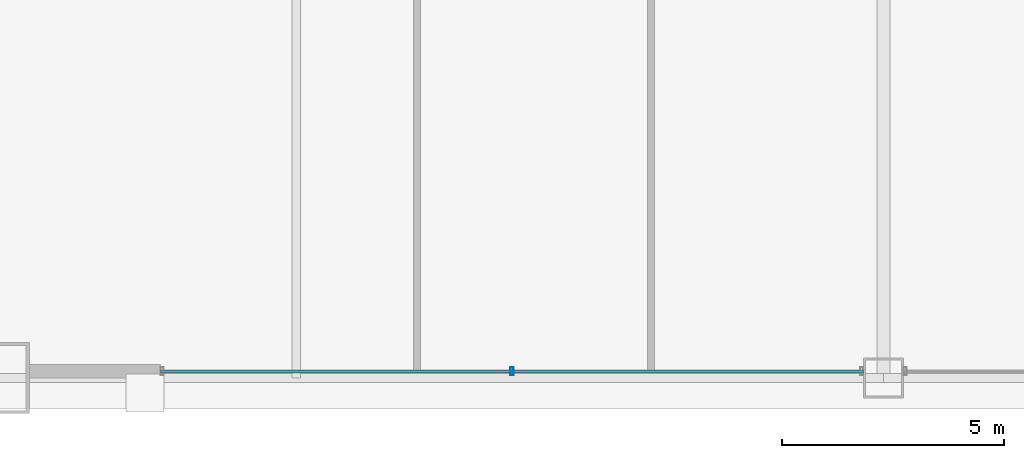
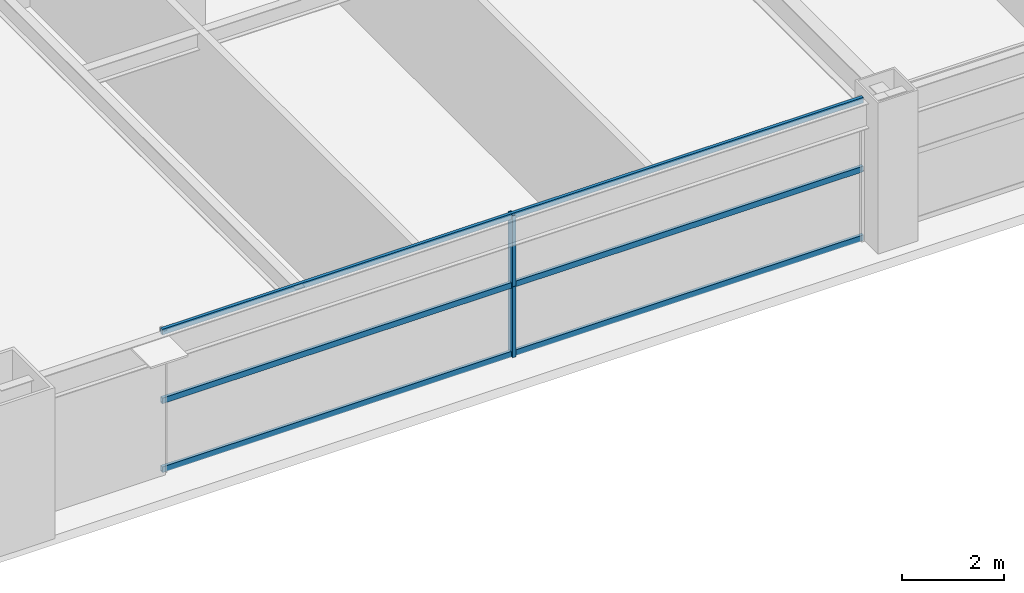
# One storey, part 6 of 39: 5 members, 1 element without a shape of its own.
"""IFC4 building model written with IfcOpenShell, lengths in metres."""

import ifcopenshell
import ifcopenshell.guid

model = None  # the IFC model being written
_history = None  # IfcOwnerHistory: only IFC2X3 demands one
_inside = {}  # id of a spatial element -> (the spatial element, [elements in it])
_under = {}  # id of a project, library or spatial element -> (it, [spatial elements below it])
_declared = {}  # id of a project -> (the project, [libraries it declares])
_typed = {}  # id of a type object -> (the type object, [elements of that type])
_made_of = {}  # id of a material, layer set ... -> (it, [elements and type objects made of it])


def new_model(schema):
    """Start an empty IFC model of exactly this schema.

    Asked for "IFC4X3", IfcOpenShell would pick the latest addendum, in which some entities
    have other attributes; the version numbers below select the first issue.
    IFC2X3 requires an IfcOwnerHistory on every rooted entity: one is made here for all.
    """
    global model, _history
    if schema == "IFC4X3":
        model = ifcopenshell.file(schema_version=(4, 3, 0, 0))
    else:
        model = ifcopenshell.file(schema=schema)
    _inside.clear()
    _under.clear()
    _declared.clear()
    _typed.clear()
    _made_of.clear()
    _history = None
    if model.schema == "IFC2X3":
        org = make("IfcOrganization", Name="unknown")
        user = make(
            "IfcPersonAndOrganization",
            ThePerson=make("IfcPerson", FamilyName="unknown"),
            TheOrganization=org,
        )
        app = make(
            "IfcApplication",
            ApplicationDeveloper=org,
            Version="unknown",
            ApplicationFullName="unknown",
            ApplicationIdentifier="unknown",
        )
        _history = make(
            "IfcOwnerHistory",
            OwningUser=user,
            OwningApplication=app,
            ChangeAction="ADDED",
            CreationDate=0,
        )
    return model


def make(cls, **values):
    """One entity of the class cls with the attributes given. An attribute that is None is left unset."""
    return model.create_entity(
        cls, **{name: value for name, value in values.items() if value is not None}
    )


def rooted(cls, **values):
    """An entity with a GlobalId (a new one), such as an element, a storey or a relation."""
    return make(cls, GlobalId=ifcopenshell.guid.new(), OwnerHistory=_history, **values)


def si_unit(unit_type, name, prefix=None):
    """IfcSIUnit, for example si_unit("LENGTHUNIT", "METRE", prefix="MILLI")."""
    return make("IfcSIUnit", UnitType=unit_type, Prefix=prefix, Name=name)


def assignment(units):
    """IfcUnitAssignment: the units of a project."""
    return None if units is None else make("IfcUnitAssignment", Units=units)


def point(xyz):
    """IfcCartesianPoint."""
    return None if xyz is None else make("IfcCartesianPoint", Coordinates=xyz)


def direction(xyz):
    """IfcDirection."""
    return None if xyz is None else make("IfcDirection", DirectionRatios=xyz)


def frame(location, z_axis=None, x_axis=None):
    """IfcAxis2Placement3D, a coordinate frame: its origin and axes. An axis left out is left unset."""
    return make(
        "IfcAxis2Placement3D",
        Location=point(location),
        Axis=direction(z_axis),
        RefDirection=direction(x_axis),
    )


def frame_2d(location, x_axis=None):
    """IfcAxis2Placement2D, a coordinate frame in the plane: its origin and x axis."""
    return make(
        "IfcAxis2Placement2D", Location=point(location), RefDirection=direction(x_axis)
    )


def origin():
    """The frame at (0, 0, 0) with its axes left unset."""
    return frame((0.0, 0.0, 0.0))


def origin_2d():
    """The frame at (0, 0) in the plane with its x axis left unset."""
    return frame_2d((0.0, 0.0))


def place(relative_to, where):
    """IfcLocalPlacement: puts the frame where relative to a parent placement (None: the world)."""
    return make(
        "IfcLocalPlacement", PlacementRelTo=relative_to, RelativePlacement=where
    )


def context(
    kind, dimensions, precision=None, world=None, true_north=None, identifier=None
):
    """IfcGeometricRepresentationContext, for example the 3D "Model" context."""
    return make(
        "IfcGeometricRepresentationContext",
        ContextIdentifier=identifier,
        ContextType=kind,
        CoordinateSpaceDimension=dimensions,
        Precision=precision,
        WorldCoordinateSystem=world,
        TrueNorth=true_north,
    )


def subcontext(parent, identifier, kind, view, scale=None):
    """IfcGeometricRepresentationSubContext, for example "Body" below "Model"."""
    return make(
        "IfcGeometricRepresentationSubContext",
        ContextIdentifier=identifier,
        ContextType=kind,
        ParentContext=parent,
        TargetScale=scale,
        TargetView=view,
    )


def project(units=None, contexts=None):
    """IfcProject with its units and contexts."""
    return rooted(
        "IfcProject",
        Name="project",
        RepresentationContexts=contexts,
        UnitsInContext=assignment(units),
    )


def spatial(cls, under=None, at=None, **own):
    """A site, building, storey or space (cls), placed at a placement, below another one or the project."""
    s = rooted(cls, ObjectPlacement=at, **own)
    if under is not None:
        _under.setdefault(under.id(), (under, []))[1].append(s)
    return s


def profile(cls, at=None, kind="AREA", **sizes):
    """A parametric profile (cls). Its sizes go by their IFC names, for example OverallWidth=200.0."""
    return make(cls, ProfileType=kind, Position=at, **sizes)


def hollow_rectangle(**sizes):
    """IfcRectangleHollowProfileDef."""
    return profile("IfcRectangleHollowProfileDef", **sizes)


def extrude(swept, where, along, depth):
    """IfcExtrudedAreaSolid: the profile swept, set in the frame where, extruded along a direction by depth."""
    return make(
        "IfcExtrudedAreaSolid",
        SweptArea=swept,
        Position=where,
        ExtrudedDirection=direction(along),
        Depth=depth,
    )


def shape(context_of_items, identifier, shape_type, items):
    """IfcShapeRepresentation: the items that make up one representation, for example the "Body"."""
    return make(
        "IfcShapeRepresentation",
        ContextOfItems=context_of_items,
        RepresentationIdentifier=identifier,
        RepresentationType=shape_type,
        Items=items,
    )


def source(mapping_origin, context_of_items, identifier, shape_type, items):
    """IfcRepresentationMap: a shape defined once, which mapped items show again and again."""
    return make(
        "IfcRepresentationMap",
        MappingOrigin=mapping_origin,
        MappedRepresentation=shape(context_of_items, identifier, shape_type, items),
    )


def transform(
    local_origin,
    x_axis=None,
    y_axis=None,
    z_axis=None,
    scale=None,
    scale2=None,
    scale3=None,
    uniform=True,
):
    """IfcCartesianTransformationOperator3D, or its non-uniform kind. x_axis, y_axis, z_axis: its Axis1, 2, 3."""
    if uniform:
        return make(
            "IfcCartesianTransformationOperator3D",
            Axis1=direction(x_axis),
            Axis2=direction(y_axis),
            LocalOrigin=point(local_origin),
            Scale=scale,
            Axis3=direction(z_axis),
        )
    return make(
        "IfcCartesianTransformationOperator3DnonUniform",
        Axis1=direction(x_axis),
        Axis2=direction(y_axis),
        LocalOrigin=point(local_origin),
        Scale=scale,
        Axis3=direction(z_axis),
        Scale2=scale2,
        Scale3=scale3,
    )


def mapped(mapping_source, mapping_target):
    """IfcMappedItem: shows the shape of a source again, moved by a transform."""
    return make(
        "IfcMappedItem", MappingSource=mapping_source, MappingTarget=mapping_target
    )


def material(Name=None, Category=None):
    """IfcMaterial."""
    return make("IfcMaterial", Name=Name, Category=Category)


def layer(
    of_material, thickness, ventilated=None, Name=None, Category=None, Priority=None
):
    """IfcMaterialLayer: one layer of a wall or slab, of a material (None: an air gap)."""
    return make(
        "IfcMaterialLayer",
        Material=of_material,
        LayerThickness=thickness,
        IsVentilated=ventilated,
        Name=Name,
        Category=Category,
        Priority=Priority,
    )


def layer_set(layers, Name=None):
    """IfcMaterialLayerSet."""
    return make("IfcMaterialLayerSet", MaterialLayers=layers, LayerSetName=Name)


def material_profile(
    of_material, cross_section, Name=None, Category=None, Priority=None
):
    """IfcMaterialProfile: a cross section and its material."""
    return make(
        "IfcMaterialProfile",
        Name=Name,
        Material=of_material,
        Profile=cross_section,
        Priority=Priority,
        Category=Category,
    )


def profile_set(profiles, Name=None, composite=None):
    """IfcMaterialProfileSet."""
    return make(
        "IfcMaterialProfileSet",
        Name=Name,
        MaterialProfiles=profiles,
        CompositeProfile=composite,
    )


def made_of(thing, what):
    """Note that an element or type object is made of a material, layer set ...; save() writes the relation."""
    if what is not None:
        _made_of.setdefault(what.id(), (what, []))[1].append(thing)
    return thing


def type_object(cls, material=None, **own):
    """A type object (cls), such as IfcWallType, which elements share."""
    return made_of(rooted(cls, **own), material)


def element(
    cls,
    number,
    at=None,
    inside=None,
    cuts=None,
    type_object=None,
    material=None,
    context=None,
    identifier="Body",
    shape_type=None,
    held_by="IfcProductDefinitionShape",
    body=None,
    shapes=None,
    **own,
):
    """One element of the class cls, such as IfcWall. Its Tag is "e" and its number.

    at: its placement. inside: the storey or other place that contains it. cuts: it is an
    opening in that element (IfcRelVoidsElement). A single representation is given by context,
    identifier, shape_type and body (its items); several are given by shapes. held_by: the class
    of the entity that holds the representations. save() writes the other relations.
    """
    e = rooted(cls, Tag="e%d" % number, ObjectPlacement=at, **own)
    if body is not None:
        shapes = [shape(context, identifier, shape_type, body)]
    if shapes is not None:
        e.Representation = make(held_by, Representations=shapes)
    if inside is not None:
        _inside.setdefault(inside.id(), (inside, []))[1].append(e)
    if cuts is not None:
        rooted(
            "IfcRelVoidsElement", RelatingBuildingElement=cuts, RelatedOpeningElement=e
        )
    if type_object is not None:
        _typed.setdefault(type_object.id(), (type_object, []))[1].append(e)
    return made_of(e, material)


def aggregate(whole, parts):
    """IfcRelAggregates: a whole, such as a stair, and the parts it consists of."""
    return rooted("IfcRelAggregates", RelatingObject=whole, RelatedObjects=parts)


def save(model, path):
    """Write the relations noted so far, then the file.

    IfcRelAggregates (storeys below a building ...), IfcRelContainedInSpatialStructure (elements
    in a storey), IfcRelDefinesByType, IfcRelAssociatesMaterial and IfcRelDeclares: one each for
    every whole, place, type object, material and project.
    """
    for whole, parts in _under.values():
        aggregate(whole, parts)
    for where, things in _inside.values():
        rooted(
            "IfcRelContainedInSpatialStructure",
            RelatedElements=things,
            RelatingStructure=where,
        )
    for kind, things in _typed.values():
        rooted("IfcRelDefinesByType", RelatedObjects=things, RelatingType=kind)
    for what, things in _made_of.values():
        rooted("IfcRelAssociatesMaterial", RelatedObjects=things, RelatingMaterial=what)
    for by, libraries in _declared.values():
        rooted("IfcRelDeclares", RelatingContext=by, RelatedDefinitions=libraries)
    model.write(path)


model = new_model("IFC4")

# Units and contexts
model_context = context("Model", 3, precision=1e-05, world=origin(), true_north=direction((0.0, 1.0)))
body_context = subcontext(model_context, "Body", "Model", "MODEL_VIEW")
ifc_project = project(units=[si_unit("LENGTHUNIT", "METRE"), si_unit("AREAUNIT", "SQUARE_METRE"), si_unit("VOLUMEUNIT", "CUBIC_METRE"), si_unit("PLANEANGLEUNIT", "RADIAN"), si_unit("MASSUNIT", "GRAM", prefix="KILO"), si_unit("THERMODYNAMICTEMPERATUREUNIT", "KELVIN"), si_unit("POWERUNIT", "WATT")], contexts=[model_context])

# Site, building, storey
site_placement = place(None, origin())
site = spatial("IfcSite", under=ifc_project, at=site_placement, CompositionType="ELEMENT")
building_placement = place(site_placement, origin())
building = spatial("IfcBuilding", under=site, at=building_placement, Name="Yuzanri Waterfront Tower", CompositionType="ELEMENT")
storey_placement = place(building_placement, frame((0.0, 0.0, 141.60009765625)))
storey = spatial("IfcBuildingStorey", under=building, at=storey_placement, Name="L37", CompositionType="ELEMENT", Elevation=141.60009765625)

# Curtain wall, members
ifc_material_1 = material(Name="Anodized Architectural Bronze", Category="metal")
ifc_layer = layer(ifc_material_1, 0.159912109375)
ifc_layer_set = layer_set([ifc_layer], Name="Anodized Architectural Bronze")
curtain_wall_type = type_object("IfcCurtainWallType", Name="Anodized Bronze Hotel Upper-Tier Solar-Control Unitized Curtain Wall 7800", PredefinedType="NOTDEFINED", material=ifc_layer_set)
curtain_wall_placement = place(storey_placement, origin())
curtain_wall = element("IfcCurtainWall", 1, at=curtain_wall_placement, inside=storey, type_object=curtain_wall_type, Name="L37 Curtain Wall CW-L37-SL", PredefinedType="NOTDEFINED")
ifc_material_2 = material(Name="Anodized Architectural Bronze", Category="metal")
ifc_material_profile_1 = material_profile(ifc_material_2, hollow_rectangle(XDim=0.070068359375, YDim=0.179931640625, WallThickness=0.00390625, at=origin_2d()), Name="CWM 70x180")
ifc_profile_set_1 = profile_set([ifc_material_profile_1], Name="Anodized Architectural Bronze")
member_type_1 = type_object("IfcMemberType", Name="Anodized Bronze Standard Curtain-Wall Mullion 70x180", PredefinedType="MULLION", material=ifc_profile_set_1)
shared_shape_1 = source(origin(), body_context, "Body", "SweptSolid", [
    extrude(hollow_rectangle(XDim=0.070068359375, YDim=0.179931640625, WallThickness=0.00390625, at=origin_2d()), origin(), (0.0, 0.0, 1.0), 1.68798828125),
])
member_1_placement = place(storey_placement, frame((28.64990234375, 2.35009765625, 0.0), z_axis=(0.0, 0.0, 1.0), x_axis=(1.0, 0.0, 0.0)))
member_1 = element("IfcMember", 2, at=member_1_placement, type_object=member_type_1, Name="CW-L37-SL Lower Mullion 01", PredefinedType="MULLION", context=body_context, shape_type="MappedRepresentation", body=[
    mapped(shared_shape_1, transform((0.0, 0.0, 0.0), scale=1.0)),
])
member_2_placement = place(storey_placement, frame((28.64990234375, 2.35009765625, 1.69189453125), z_axis=(0.0, 0.0, 1.0), x_axis=(1.0, 0.0, 0.0)))
member_2 = element("IfcMember", 3, at=member_2_placement, type_object=member_type_1, Name="CW-L37-SL Upper Mullion 01", PredefinedType="MULLION", context=body_context, shape_type="MappedRepresentation", body=[
    mapped(shared_shape_1, transform((0.0, 0.0, 0.0), scale=1.0)),
])
ifc_material_3 = material(Name="Anodized Architectural Bronze", Category="metal")
ifc_material_profile_2 = material_profile(ifc_material_3, hollow_rectangle(XDim=0.070068359375, YDim=0.135009765625, WallThickness=0.00341796875, at=origin_2d()), Name="CWT 70x135")
ifc_profile_set_2 = profile_set([ifc_material_profile_2], Name="Anodized Architectural Bronze")
member_type_2 = type_object("IfcMemberType", Name="Anodized Bronze Standard Curtain-Wall Transom 70x135", PredefinedType="USERDEFINED", material=ifc_profile_set_2)
shared_shape_2 = source(origin(), body_context, "Body", "SweptSolid", [
    extrude(hollow_rectangle(XDim=0.070068359375, YDim=0.135009765625, WallThickness=0.00341796875, at=origin_2d()), origin(), (0.0, 0.0, 1.0), 15.800048828125),
])
member_3_placement = place(storey_placement, frame((20.75, 2.35009765625, 0.0498046875), z_axis=(1.0, 0.0, 0.0), x_axis=(0.0, 1.0, 0.0)))
member_3 = element("IfcMember", 4, at=member_3_placement, type_object=member_type_2, Name="CW-L37-SL Transom 1", ObjectType="TRANSOM", PredefinedType="USERDEFINED", context=body_context, shape_type="MappedRepresentation", body=[
    mapped(shared_shape_2, transform((0.0, 0.0, 0.0), scale=1.0)),
])
member_4_placement = place(storey_placement, frame((20.75, 2.35009765625, 1.68994140625), z_axis=(1.0, 0.0, 0.0), x_axis=(0.0, 1.0, 0.0)))
member_4 = element("IfcMember", 5, at=member_4_placement, type_object=member_type_2, Name="CW-L37-SL Transom 2", ObjectType="TRANSOM", PredefinedType="USERDEFINED", context=body_context, shape_type="MappedRepresentation", body=[
    mapped(shared_shape_2, transform((0.0, 0.0, 0.0), scale=1.0)),
])
member_5_placement = place(storey_placement, frame((20.75, 2.35009765625, 3.329833984375), z_axis=(1.0, 0.0, 0.0), x_axis=(0.0, 1.0, 0.0)))
member_5 = element("IfcMember", 6, at=member_5_placement, type_object=member_type_2, Name="CW-L37-SL Transom 3", ObjectType="TRANSOM", PredefinedType="USERDEFINED", context=body_context, shape_type="MappedRepresentation", body=[
    mapped(shared_shape_2, transform((0.0, 0.0, 0.0), scale=1.0)),
])
aggregate(curtain_wall, [member_1, member_2, member_3, member_4, member_5])

save(model, "model.ifc")
